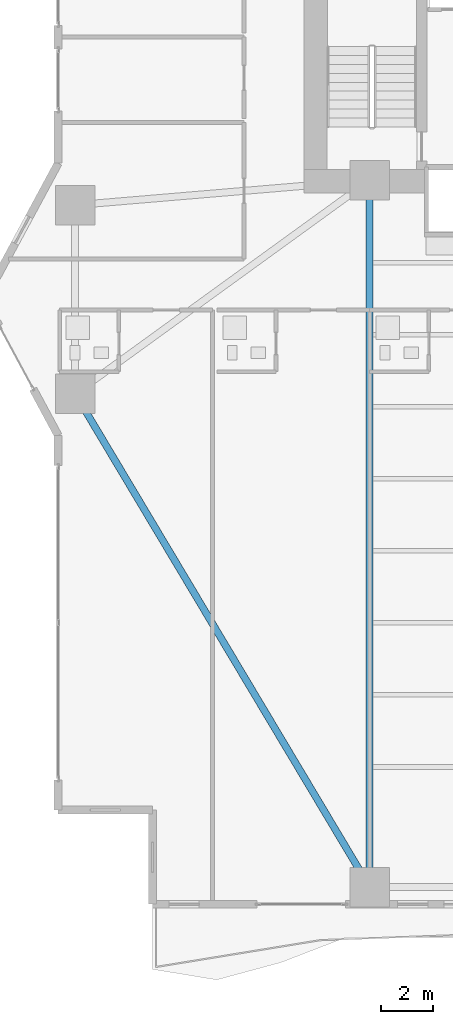
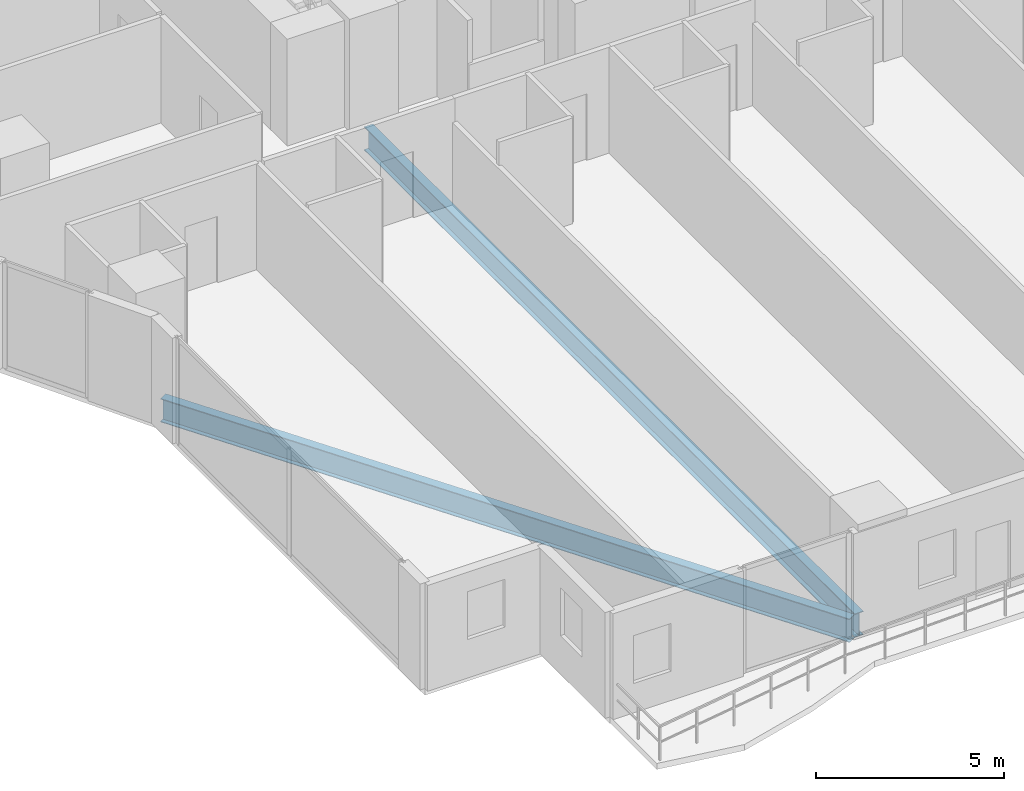
# One storey, part 3 of 29: 2 beams.
"""IFC4 building model written with IfcOpenShell, lengths in metres."""

from ifc_helpers import new_model, si_unit, direction, frame, origin, origin_2d, place, context, subcontext, project, spatial, i_section, extrude, material, material_profile, profile_set, type_object, element, save


model = new_model("IFC4")

# Units and contexts
model_context = context("Model", 3, precision=1e-05, world=origin(), true_north=direction((0.0, 1.0)))
body_context = subcontext(model_context, "Body", "Model", "MODEL_VIEW")
ifc_project = project(units=[si_unit("LENGTHUNIT", "METRE"), si_unit("AREAUNIT", "SQUARE_METRE"), si_unit("VOLUMEUNIT", "CUBIC_METRE"), si_unit("PLANEANGLEUNIT", "RADIAN"), si_unit("MASSUNIT", "GRAM", prefix="KILO")], contexts=[model_context])

# Site, building, storey
site_placement = place(None, origin())
site = spatial("IfcSite", under=ifc_project, at=site_placement, CompositionType="ELEMENT")
building_placement = place(site_placement, origin())
building = spatial("IfcBuilding", under=site, at=building_placement, Name="Zuhayl Quay Hotel", CompositionType="ELEMENT")
storey_placement = place(building_placement, frame((0.0, 0.0, 67.75)))
storey = spatial("IfcBuildingStorey", under=building, at=storey_placement, Name="L16", CompositionType="ELEMENT", Elevation=67.75)

# Beams
ifc_material = material(Name="Steel ASTM A992 Grade 50", Category="steel")
ifc_material_profile = material_profile(ifc_material, i_section(OverallWidth=0.26708984375, OverallDepth=0.761962890625, WebThickness=0.014404296875, FlangeThickness=0.021484375, at=origin_2d()), Name="W30X116")
ifc_profile_set = profile_set([ifc_material_profile], Name="Steel ASTM A992 Grade 50")
beam_type = type_object("IfcBeamType", Name="BM_B1_W30X116", PredefinedType="BEAM", material=ifc_profile_set)
beam_1_placement = place(storey_placement, frame((-24.793701171875, -4.029296875, -0.60107421875), z_axis=(0.512482593247, -0.85869761361, 0.0), x_axis=(0.85869761361, 0.512482593247, 0.0)))
element("IfcBeam", 1, at=beam_1_placement, inside=storey, type_object=beam_type, Name="L16 Floor Beam RG_L16_12", PredefinedType="BEAM", context=body_context, shape_type="SweptSolid", body=[
    extrude(i_section(OverallWidth=0.26708984375, OverallDepth=0.761962890625, WebThickness=0.014404296875, FlangeThickness=0.021484375, at=origin_2d()), origin(), (0.0, 0.0, 1.0), 20.9521484375),
])
beam_2_placement = place(storey_placement, frame((-13.800048828125, -21.949951171875, -0.60107421875), z_axis=(0.0, 1.0, 0.0), x_axis=(-1.0, 0.0, 0.0)))
element("IfcBeam", 2, at=beam_2_placement, inside=storey, type_object=beam_type, Name="L16 Floor Beam FG_S_L16_1", PredefinedType="BEAM", context=body_context, shape_type="SweptSolid", body=[
    extrude(i_section(OverallWidth=0.26708984375, OverallDepth=0.761962890625, WebThickness=0.014404296875, FlangeThickness=0.021484375, at=origin_2d()), origin(), (0.0, 0.0, 1.0), 26.050048828125),
])

save(model, "model.ifc")
